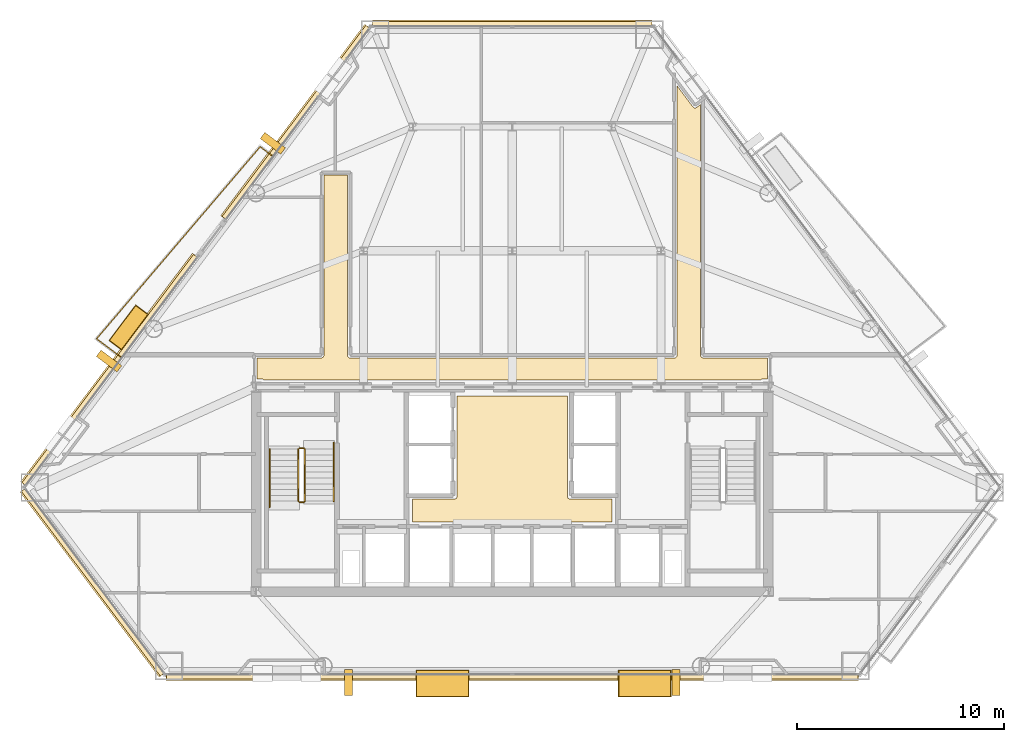
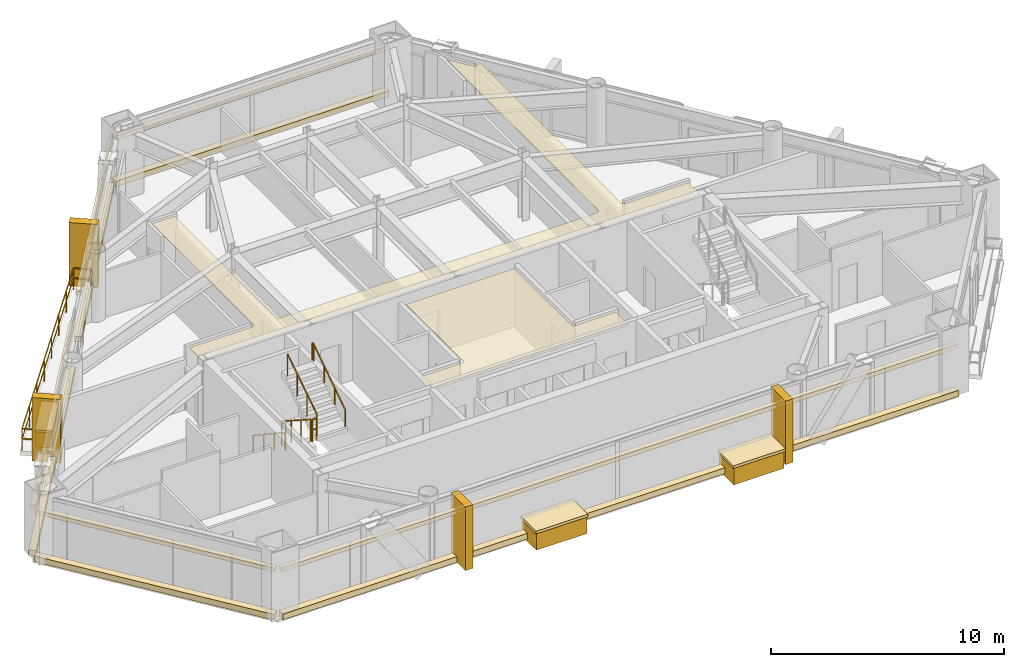
# One storey, part 9 of 10: 22 coverings, 7 railings.
"""IFC4 building model written with IfcOpenShell, lengths in metres."""

from ifc_helpers import new_model, si_unit, direction, frame, origin, origin_2d, place, context, subcontext, project, spatial, polyline, rectangle, outline, extrude, material, layer, layer_set, type_object, element, save


model = new_model("IFC4")

# Units and contexts
model_context = context("Model", 3, precision=1e-05, world=origin(), true_north=direction((0.0, 1.0)))
body_context = subcontext(model_context, "Body", "Model", "MODEL_VIEW")
ifc_project = project(units=[si_unit("LENGTHUNIT", "METRE"), si_unit("AREAUNIT", "SQUARE_METRE"), si_unit("VOLUMEUNIT", "CUBIC_METRE"), si_unit("PLANEANGLEUNIT", "RADIAN"), si_unit("MASSUNIT", "GRAM", prefix="KILO")], contexts=[model_context])

# Site, building, storey
site_placement = place(None, origin())
site = spatial("IfcSite", under=ifc_project, at=site_placement, CompositionType="ELEMENT")
building_placement = place(site_placement, origin())
building = spatial("IfcBuilding", under=site, at=building_placement, Name="Talgorran Terracotta Tower", CompositionType="ELEMENT")
storey_placement = place(building_placement, frame((0.0, 0.0, 86.39990234375)))
storey = spatial("IfcBuildingStorey", under=building, at=storey_placement, Name="L22", CompositionType="ELEMENT", Elevation=86.39990234375)

# Coverings
ifc_material_1 = material(Name="Kiln-Fired Terracotta Ochre Ceramic", Category="masonry")
ifc_layer_1 = layer(ifc_material_1, 0.179931640625, Name="COV_BAGUETTE_TERRACOTTA_SCREEN")
ifc_layer_set_1 = layer_set([ifc_layer_1], Name="Kiln-Fired Terracotta Ochre Ceramic")
covering_type_1 = type_object("IfcCoveringType", Name="COV_BAGUETTE_TERRACOTTA_SCREEN", PredefinedType="CLADDING", material=ifc_layer_set_1)
covering_1_placement = place(storey_placement, frame((-20.296630859375, -13.63720703125, 2.41015625), z_axis=(0.0, 0.0, 1.0), x_axis=(0.601048110939, -0.79921284295, 0.0)))
element("IfcCovering", 1, at=covering_1_placement, inside=storey, type_object=covering_type_1, Name="L22 Terracotta Baguette Solar Screen Assembly F0", PredefinedType="CLADDING", context=body_context, shape_type="SweptSolid", body=[
    extrude(rectangle(XDim=11.184326171875, YDim=0.260009765625, at=origin_2d()), origin(), (0.0, 0.0, 1.0), 0.219970703125),
])
covering_2_placement = place(storey_placement, frame((0.0, -18.2021484375, 2.41015625), z_axis=(0.0, 0.0, 1.0), x_axis=(1.0, 0.0, 0.0)))
element("IfcCovering", 2, at=covering_2_placement, inside=storey, type_object=covering_type_1, Name="L22 Terracotta Baguette Solar Screen Assembly F1", PredefinedType="CLADDING", context=body_context, shape_type="SweptSolid", body=[
    extrude(rectangle(XDim=33.487060546875, YDim=0.260009765625, at=origin_2d()), origin(), (0.0, 0.0, 1.0), 0.219970703125),
])
covering_3_placement = place(storey_placement, frame((0.0, 13.364990234375, 2.41015625), z_axis=(0.0, 0.0, 1.0), x_axis=(-1.0, 0.0, 0.0)))
element("IfcCovering", 3, at=covering_3_placement, inside=storey, type_object=covering_type_1, Name="L22 Terracotta Baguette Solar Screen Assembly F4", PredefinedType="CLADDING", context=body_context, shape_type="SweptSolid", body=[
    extrude(rectangle(XDim=13.533447265625, YDim=0.260009765625, at=origin_2d()), origin(), (0.0, 0.0, 1.0), 0.219970703125),
])
covering_4_placement = place(storey_placement, frame((-10.462158203125, 8.610595703125, 2.41015625), z_axis=(0.0, 0.0, 1.0), x_axis=(-0.601048110939, -0.79921284295, 0.0)))
element("IfcCovering", 4, at=covering_4_placement, inside=storey, type_object=covering_type_1, Name="L22 Terracotta Baguette Solar Screen Assembly F60", PredefinedType="CLADDING", context=body_context, shape_type="SweptSolid", body=[
    extrude(rectangle(XDim=11.577880859375, YDim=0.260009765625, at=origin_2d()), origin(), (0.0, 0.0, 1.0), 0.219970703125),
])
covering_5_placement = place(storey_placement, frame((-19.47900390625, -3.37890625, 2.41015625), z_axis=(0.0, 0.0, 1.0), x_axis=(-0.601048110939, -0.79921284295, 0.0)))
element("IfcCovering", 5, at=covering_5_placement, inside=storey, type_object=covering_type_1, Name="L22 Terracotta Baguette Solar Screen Assembly F61", PredefinedType="CLADDING", context=body_context, shape_type="SweptSolid", body=[
    extrude(rectangle(XDim=13.82568359375, YDim=0.260009765625, at=origin_2d()), origin(), (0.0, 0.0, 1.0), 0.219970703125),
])
ifc_material_2 = material(Name="Mineral Fibre Acoustic Tile")
ifc_layer_2 = layer(ifc_material_2, 0.02490234375, Name="COV_CEIL_ACOUSTIC")
ifc_layer_set_2 = layer_set([ifc_layer_2], Name="Mineral Fibre Acoustic Tile")
covering_type_2 = type_object("IfcCoveringType", Name="COV_CEIL_ACOUSTIC", PredefinedType="CEILING", material=ifc_layer_set_2)
covering_6_placement = place(storey_placement, frame((0.0, 0.0, 3.190185546875)))
element("IfcCovering", 6, at=covering_6_placement, inside=storey, type_object=covering_type_2, Name="CEIL-L22-2", PredefinedType="CEILING", context=body_context, shape_type="SweptSolid", body=[
    extrude(outline(polyline([(-12.034423828125, -3.844970703125), (-12.03515625, -3.843994140625), (-12.0439453125, -3.836181640625), (-12.05322265625, -3.8291015625), (-12.0634765625, -3.8232421875), (-12.07421875, -3.818115234375), (-12.085205078125, -3.814208984375), (-12.0966796875, -3.811279296875), (-12.108154296875, -3.8095703125), (-12.1201171875, -3.80908203125), (-12.364990234375, -3.80908203125), (-12.364990234375, -2.784912109375), (-9.25, -2.784912109375), (-9.23828125, -2.784423828125), (-9.226806640625, -2.78271484375), (-9.21533203125, -2.77978515625), (-9.20703125, -2.77734375), (-9.196044921875, -2.7734375), (-9.185302734375, -2.768310546875), (-9.17529296875, -2.762451171875), (-9.165771484375, -2.75537109375), (-9.156982421875, -2.74755859375), (-9.149169921875, -2.73876953125), (-9.1435546875, -2.73193359375), (-9.136474609375, -2.722412109375), (-9.13037109375, -2.71240234375), (-9.125244140625, -2.70166015625), (-9.121337890625, -2.690673828125), (-9.118408203125, -2.67919921875), (-9.11669921875, -2.66748046875), (-9.1162109375, -2.65576171875), (-9.114990234375, 6.06494140625), (-7.985107421875, 6.06494140625), (-7.985107421875, -2.64990234375), (-7.984375, -2.66162109375), (-7.982666015625, -2.67333984375), (-7.97998046875, -2.6845703125), (-7.977294921875, -2.69287109375), (-7.973388671875, -2.7041015625), (-7.968505859375, -2.714599609375), (-7.96240234375, -2.724853515625), (-7.955322265625, -2.734375), (-7.947509765625, -2.742919921875), (-7.938720703125, -2.7509765625), (-7.931884765625, -2.756591796875), (-7.922607421875, -2.763671875), (-7.912353515625, -2.769775390625), (-7.901611328125, -2.774658203125), (-7.890625, -2.77880859375), (-7.879150390625, -2.781494140625), (-7.867431640625, -2.783203125), (-7.855712890625, -2.783935546875), (7.85009765625, -2.784912109375), (7.86181640625, -2.784423828125), (7.873291015625, -2.78271484375), (7.884521484375, -2.77978515625), (7.892822265625, -2.77734375), (7.904052734375, -2.7734375), (7.914794921875, -2.768310546875), (7.9248046875, -2.762451171875), (7.934326171875, -2.75537109375), (7.943115234375, -2.74755859375), (7.950927734375, -2.73876953125), (7.95654296875, -2.73193359375), (7.963623046875, -2.722412109375), (7.9697265625, -2.71240234375), (7.974609375, -2.70166015625), (7.978759765625, -2.690673828125), (7.981689453125, -2.67919921875), (7.9833984375, -2.66748046875), (7.98388671875, -2.65576171875), (7.985107421875, 10.38232421875), (8.7451171875, 9.371826171875), (8.7529296875, 9.36279296875), (8.761474609375, 9.354248046875), (8.770751953125, 9.3466796875), (8.78076171875, 9.34033203125), (8.791259765625, 9.334716796875), (8.79931640625, 9.331298828125), (8.81005859375, 9.326904296875), (8.821044921875, 9.32373046875), (8.83251953125, 9.321533203125), (8.843994140625, 9.320556640625), (8.85546875, 9.320556640625), (8.866943359375, 9.32177734375), (8.87548828125, 9.322998046875), (8.88720703125, 9.325439453125), (8.8984375, 9.328857421875), (8.909423828125, 9.33349609375), (8.919921875, 9.339111328125), (8.9296875, 9.345703125), (9.114990234375, 9.485107421875), (9.114990234375, -2.64990234375), (9.115478515625, -2.66162109375), (9.1171875, -2.67333984375), (9.1201171875, -2.6845703125), (9.12255859375, -2.69287109375), (9.12646484375, -2.7041015625), (9.131591796875, -2.714599609375), (9.1376953125, -2.724853515625), (9.14453125, -2.734375), (9.152587890625, -2.742919921875), (9.1611328125, -2.7509765625), (9.16796875, -2.756591796875), (9.177490234375, -2.763671875), (9.1875, -2.769775390625), (9.1982421875, -2.774658203125), (9.20947265625, -2.77880859375), (9.220703125, -2.781494140625), (9.232421875, -2.783203125), (9.244384765625, -2.783935546875), (12.364990234375, -2.784912109375), (12.364990234375, -3.80908203125), (12.1201171875, -3.80908203125), (12.108154296875, -3.8095703125), (12.0966796875, -3.811279296875), (12.085205078125, -3.814208984375), (12.07421875, -3.818115234375), (12.0634765625, -3.8232421875), (12.05322265625, -3.8291015625), (12.0439453125, -3.836181640625), (12.03515625, -3.843994140625), (12.034423828125, -3.844970703125), (7.432861328125, -3.844970703125), (6.968017578125, -3.843017578125), (6.967529296875, -3.843017578125), (0.232666015625, -3.844970703125), (-0.23193359375, -3.843017578125), (-0.232421875, -3.843017578125), (-6.96728515625, -3.844970703125), (-7.431884765625, -3.843017578125), (-7.4326171875, -3.843017578125), (-12.034423828125, -3.844970703125)])), origin(), (0.0, 0.0, 1.0), 0.02001953125),
])
ifc_material_3 = material(Name="Flush Moisture-Resistant Plaster")
ifc_layer_3 = layer(ifc_material_3, 0.01806640625, Name="COV_CEIL_PLASTER")
ifc_layer_set_3 = layer_set([ifc_layer_3], Name="Flush Moisture-Resistant Plaster")
covering_type_3 = type_object("IfcCoveringType", Name="COV_CEIL_PLASTER", PredefinedType="CEILING", material=ifc_layer_set_3)
covering_7_placement = place(storey_placement, frame((0.0, 0.0, 3.190185546875)))
element("IfcCovering", 7, at=covering_7_placement, inside=storey, type_object=covering_type_3, Name="CEIL-L22-1", PredefinedType="CEILING", context=body_context, shape_type="SweptSolid", body=[
    extrude(outline(polyline([(-4.830078125, -9.6201171875), (-2.800048828125, -9.6201171875), (-2.7880859375, -9.619384765625), (-2.776611328125, -9.61767578125), (-2.76513671875, -9.61474609375), (-2.754150390625, -9.61083984375), (-2.743408203125, -9.605712890625), (-2.7333984375, -9.599853515625), (-2.723876953125, -9.5927734375), (-2.715087890625, -9.5849609375), (-2.707275390625, -9.576171875), (-2.7001953125, -9.566650390625), (-2.694091796875, -9.556640625), (-2.689208984375, -9.5458984375), (-2.685302734375, -9.534912109375), (-2.682373046875, -9.5234375), (-2.6806640625, -9.51171875), (-2.679931640625, -9.5), (-2.679931640625, -4.6201171875), (2.679931640625, -4.6201171875), (2.679931640625, -9.5), (2.6806640625, -9.51171875), (2.682373046875, -9.5234375), (2.685302734375, -9.534912109375), (2.689208984375, -9.5458984375), (2.694091796875, -9.556640625), (2.7001953125, -9.566650390625), (2.707275390625, -9.576171875), (2.715087890625, -9.5849609375), (2.723876953125, -9.5927734375), (2.7333984375, -9.599853515625), (2.743408203125, -9.605712890625), (2.754150390625, -9.61083984375), (2.76513671875, -9.61474609375), (2.776611328125, -9.61767578125), (2.7880859375, -9.619384765625), (2.800048828125, -9.6201171875), (4.830078125, -9.6201171875), (4.830078125, -10.72998046875), (-4.830078125, -10.72998046875), (-4.830078125, -9.6201171875)])), origin(), (0.0, 0.0, 1.0), 0.02001953125),
])
ifc_material_4 = material(Name="Honed Limestone and Terracotta Planter", Category="masonry")
ifc_layer_4 = layer(ifc_material_4, 0.1201171875, Name="COV_PLANTER_BOX")
ifc_layer_set_4 = layer_set([ifc_layer_4], Name="Honed Limestone and Terracotta Planter")
covering_type_4 = type_object("IfcCoveringType", Name="COV_PLANTER_BOX", PredefinedType="CLADDING", material=ifc_layer_set_4)
for number, where, z_axis, x_axis, name in (
    (8, (6.411865234375, -18.542236328125, -0.179931640625), (0.0, 0.0, 1.0), (1.0, 0.0, 0.0), "L22 Staggered South Facade Planter Box 1"),
    (9, (-3.374755859375, -18.542236328125, -0.179931640625), (0.0, 0.0, 1.0), (1.0, 0.0, 0.0), "L22 Staggered South Facade Planter Box 2"),
):
    element("IfcCovering", number, at=place(storey_placement, frame(where, z_axis=z_axis, x_axis=x_axis)), inside=storey, type_object=covering_type_4, Name=name, PredefinedType="CLADDING", context=body_context, shape_type="SweptSolid", body=[
        extrude(rectangle(XDim=2.5, YDim=1.25, at=origin_2d()), origin(), (0.0, 0.0, 1.0), 0.919921875),
    ])
covering_8_placement = place(storey_placement, frame((-18.57275390625, -1.310546875, -0.02001953125), z_axis=(0.0, 0.0, 1.0), x_axis=(-0.601048110939, -0.79921284295, 0.0)))
element("IfcCovering", 10, at=covering_8_placement, inside=storey, type_object=covering_type_4, Name="L22 Staggered Balcony Planter Box BAL-NW", PredefinedType="CLADDING", context=body_context, shape_type="SweptSolid", body=[
    extrude(rectangle(XDim=2.10009765625, YDim=0.719970703125, at=origin_2d()), origin(), (0.0, 0.0, 1.0), 0.860107421875),
])
ifc_material_5 = material(Name="Kiln-Fired Terracotta Planter Rim", Category="masonry")
ifc_layer_5 = layer(ifc_material_5, 0.10009765625, Name="COV_PLANTER_RIM")
ifc_layer_set_5 = layer_set([ifc_layer_5], Name="Kiln-Fired Terracotta Planter Rim")
covering_type_5 = type_object("IfcCoveringType", Name="COV_PLANTER_RIM", PredefinedType="CLADDING", material=ifc_layer_set_5)
for number, where, z_axis, x_axis, name in (
    (11, (6.411865234375, -18.542236328125, 0.7099609375), (0.0, 0.0, 1.0), (1.0, 0.0, 0.0), "L22 South Planter Terracotta Rim 1"),
    (12, (-3.374755859375, -18.542236328125, 0.7099609375), (0.0, 0.0, 1.0), (1.0, 0.0, 0.0), "L22 South Planter Terracotta Rim 2"),
):
    element("IfcCovering", number, at=place(storey_placement, frame(where, z_axis=z_axis, x_axis=x_axis)), inside=storey, type_object=covering_type_5, Name=name, PredefinedType="CLADDING", context=body_context, shape_type="SweptSolid", body=[
        extrude(rectangle(XDim=2.580078125, YDim=1.320068359375, at=origin_2d()), origin(), (0.0, 0.0, 1.0), 0.139892578125),
    ])
covering_9_placement = place(storey_placement, frame((-18.57275390625, -1.310546875, 0.800048828125), z_axis=(0.0, 0.0, 1.0), x_axis=(-0.601048110939, -0.79921284295, 0.0)))
element("IfcCovering", 13, at=covering_9_placement, inside=storey, type_object=covering_type_5, Name="L22 Balcony Planter Terracotta Rim BAL-NW", PredefinedType="CLADDING", context=body_context, shape_type="SweptSolid", body=[
    extrude(rectangle(XDim=2.179931640625, YDim=0.780029296875, at=origin_2d()), origin(), (0.0, 0.0, 1.0), 0.1201171875),
])
ifc_material_6 = material(Name="Honed Limestone Cladding", Category="masonry")
ifc_layer_6 = layer(ifc_material_6, 0.094970703125, Name="COV_PORTAL_LIME")
ifc_layer_set_6 = layer_set([ifc_layer_6], Name="Honed Limestone Cladding")
covering_type_6 = type_object("IfcCoveringType", Name="COV_PORTAL_LIME", PredefinedType="CLADDING", material=ifc_layer_set_6)
covering_10_placement = place(storey_placement, frame((-20.32861328125, -13.6611328125, -0.0400390625), z_axis=(0.0, 0.0, 1.0), x_axis=(0.601048110939, -0.79921284295, 0.0)))
element("IfcCovering", 14, at=covering_10_placement, inside=storey, type_object=covering_type_6, Name="L22 Striped Postmodern Portal Cladding Band F0", PredefinedType="CLADDING", context=body_context, shape_type="SweptSolid", body=[
    extrude(rectangle(XDim=11.204345703125, YDim=0.340087890625, at=origin_2d()), origin(), (0.0, 0.0, 1.0), 0.300048828125),
])
covering_11_placement = place(storey_placement, frame((0.0, -18.2421875, -0.0400390625), z_axis=(0.0, 0.0, 1.0), x_axis=(1.0, 0.0, 0.0)))
element("IfcCovering", 15, at=covering_11_placement, inside=storey, type_object=covering_type_6, Name="L22 Striped Postmodern Portal Cladding Band F1", PredefinedType="CLADDING", context=body_context, shape_type="SweptSolid", body=[
    extrude(rectangle(XDim=33.507080078125, YDim=0.340087890625, at=origin_2d()), origin(), (0.0, 0.0, 1.0), 0.300048828125),
])
covering_12_placement = place(storey_placement, frame((0.0, 13.405029296875, -0.0400390625), z_axis=(0.0, 0.0, 1.0), x_axis=(-1.0, 0.0, 0.0)))
element("IfcCovering", 16, at=covering_12_placement, inside=storey, type_object=covering_type_6, Name="L22 Striped Postmodern Portal Cladding Band F4", PredefinedType="CLADDING", context=body_context, shape_type="SweptSolid", body=[
    extrude(rectangle(XDim=13.553466796875, YDim=0.340087890625, at=origin_2d()), origin(), (0.0, 0.0, 1.0), 0.300048828125),
])
covering_13_placement = place(storey_placement, frame((-10.494140625, 8.634765625, -0.0400390625), z_axis=(0.0, 0.0, 1.0), x_axis=(-0.601048110939, -0.79921284295, 0.0)))
element("IfcCovering", 17, at=covering_13_placement, inside=storey, type_object=covering_type_6, Name="L22 Striped Postmodern Portal Cladding Band F60", PredefinedType="CLADDING", context=body_context, shape_type="SweptSolid", body=[
    extrude(rectangle(XDim=11.597900390625, YDim=0.340087890625, at=origin_2d()), origin(), (0.0, 0.0, 1.0), 0.300048828125),
])
covering_14_placement = place(storey_placement, frame((-19.510986328125, -3.354736328125, -0.0400390625), z_axis=(0.0, 0.0, 1.0), x_axis=(-0.601048110939, -0.79921284295, 0.0)))
element("IfcCovering", 18, at=covering_14_placement, inside=storey, type_object=covering_type_6, Name="L22 Striped Postmodern Portal Cladding Band F61", PredefinedType="CLADDING", context=body_context, shape_type="SweptSolid", body=[
    extrude(rectangle(XDim=13.845703125, YDim=0.340087890625, at=origin_2d()), origin(), (0.0, 0.0, 1.0), 0.300048828125),
])
for number, where, z_axis, x_axis, name in (
    (19, (7.930419921875, -18.502197265625, -0.050048828125), (0.0, 0.0, 1.0), (1.0, 0.0, 0.0), "L22 White Striped Portal Fin F1-2"),
    (20, (-19.5224609375, -2.937744140625, -0.050048828125), (0.0, 0.0, 1.0), (-0.601048110939, -0.79921284295, 0.0), "L22 White Striped Portal Fin F5-2"),
):
    element("IfcCovering", number, at=place(storey_placement, frame(where, z_axis=z_axis, x_axis=x_axis)), inside=storey, type_object=covering_type_6, Name=name, PredefinedType="CLADDING", context=body_context, shape_type="SweptSolid", body=[
        extrude(rectangle(XDim=0.3798828125, YDim=1.25, at=origin_2d()), origin(), (0.0, 0.0, 1.0), 3.330078125),
    ])
ifc_material_7 = material(Name="Kiln-Fired Terracotta Cladding", Category="masonry")
ifc_layer_7 = layer(ifc_material_7, 0.090087890625, Name="COV_PORTAL_TERRA")
ifc_layer_set_7 = layer_set([ifc_layer_7], Name="Kiln-Fired Terracotta Cladding")
covering_type_7 = type_object("IfcCoveringType", Name="COV_PORTAL_TERRA", PredefinedType="CLADDING", material=ifc_layer_set_7)
for number, where, z_axis, x_axis, name in (
    (21, (-7.930419921875, -18.502197265625, -0.050048828125), (0.0, 0.0, 1.0), (1.0, 0.0, 0.0), "L22 Terracotta Striped Portal Fin F1-1"),
    (22, (-11.591796875, 7.607666015625, -0.050048828125), (0.0, 0.0, 1.0), (-0.601048110939, -0.79921284295, 0.0), "L22 Terracotta Striped Portal Fin F5-1"),
):
    element("IfcCovering", number, at=place(storey_placement, frame(where, z_axis=z_axis, x_axis=x_axis)), inside=storey, type_object=covering_type_7, Name=name, PredefinedType="CLADDING", context=body_context, shape_type="SweptSolid", body=[
        extrude(rectangle(XDim=0.3798828125, YDim=1.25, at=origin_2d()), origin(), (0.0, 0.0, 1.0), 3.330078125),
    ])

# Railings
ifc_material_8 = material(Name="Laminated Glass and Stainless Steel 316", Category="steel")
railing_type_1 = type_object("IfcRailingType", Name="RL_BALCONY_1150", PredefinedType="BALUSTRADE", material=ifc_material_8)
railing_1_placement = place(storey_placement, frame((-11.58935546875, 6.978759765625, 0.0)))
element("IfcRailing", 23, at=railing_1_placement, inside=storey, type_object=railing_type_1, Name="RL-L22-BAL-BAL-NW", PredefinedType="BALUSTRADE", context=body_context, shape_type="SweptSolid", body=[
    extrude(rectangle(XDim=0.048095703125, YDim=0.048095703125, at=origin_2d()), frame((0.0, 0.0, 1.1259765625), z_axis=(-0.799084379196, 0.601218891025, 0.0), x_axis=(-0.601218891025, -0.799084379196, 0.0)), (0.0, 0.0, 1.0), 0.768798828125),
    extrude(rectangle(XDim=0.048095703125, YDim=0.048095703125, at=origin_2d()), frame((0.0, 0.0, 0.597900390625), z_axis=(-0.799084379196, 0.601218891025, 0.0), x_axis=(-0.601218891025, -0.799084379196, 0.0)), (0.0, 0.0, 1.0), 0.768798828125),
    extrude(rectangle(XDim=0.048095703125, YDim=0.048095703125, at=origin_2d()), frame((-0.6142578125, 0.462158203125, 1.1259765625), z_axis=(-0.648396530327, -0.761302790918, 0.0), x_axis=(0.761302790918, -0.648396530327, 0.0)), (0.0, 0.0, 1.0), 12.215087890625),
    extrude(rectangle(XDim=0.048095703125, YDim=0.048095703125, at=origin_2d()), frame((-0.6142578125, 0.462158203125, 0.597900390625), z_axis=(-0.648396530327, -0.761302790918, 0.0), x_axis=(0.761302790918, -0.648396530327, 0.0)), (0.0, 0.0, 1.0), 12.215087890625),
    extrude(rectangle(XDim=0.048095703125, YDim=0.048095703125, at=origin_2d()), frame((-8.534423828125, -8.837158203125, 1.1259765625), z_axis=(0.79920348957, -0.601060547914, 0.0), x_axis=(0.601060547914, 0.79920348957, 0.0)), (0.0, 0.0, 1.0), 1.50927734375),
    extrude(rectangle(XDim=0.048095703125, YDim=0.048095703125, at=origin_2d()), frame((-8.534423828125, -8.837158203125, 0.597900390625), z_axis=(0.79920348957, -0.601060547914, 0.0), x_axis=(0.601060547914, 0.79920348957, 0.0)), (0.0, 0.0, 1.0), 1.50927734375),
    extrude(rectangle(XDim=0.0419921875, YDim=0.0419921875, at=origin_2d()), origin(), (0.0, 0.0, 1.0), 1.101806640625),
    extrude(rectangle(XDim=0.0419921875, YDim=0.0419921875, at=origin_2d()), frame((-0.6142578125, 0.462158203125, 0.0)), (0.0, 0.0, 1.0), 1.101806640625),
    extrude(rectangle(XDim=0.0419921875, YDim=0.0419921875, at=origin_2d()), frame((-1.74560546875, -0.8662109375, 0.0)), (0.0, 0.0, 1.0), 1.101806640625),
    extrude(rectangle(XDim=0.0419921875, YDim=0.0419921875, at=origin_2d()), frame((-2.877197265625, -2.19482421875, 0.0)), (0.0, 0.0, 1.0), 1.101806640625),
    extrude(rectangle(XDim=0.0419921875, YDim=0.0419921875, at=origin_2d()), frame((-4.008544921875, -3.523193359375, 0.0)), (0.0, 0.0, 1.0), 1.101806640625),
    extrude(rectangle(XDim=0.0419921875, YDim=0.0419921875, at=origin_2d()), frame((-5.14013671875, -4.851806640625, 0.0)), (0.0, 0.0, 1.0), 1.101806640625),
    extrude(rectangle(XDim=0.0419921875, YDim=0.0419921875, at=origin_2d()), frame((-6.271484375, -6.18017578125, 0.0)), (0.0, 0.0, 1.0), 1.101806640625),
    extrude(rectangle(XDim=0.0419921875, YDim=0.0419921875, at=origin_2d()), frame((-7.403076171875, -7.5087890625, 0.0)), (0.0, 0.0, 1.0), 1.101806640625),
    extrude(rectangle(XDim=0.0419921875, YDim=0.0419921875, at=origin_2d()), frame((-8.534423828125, -8.837158203125, 0.0)), (0.0, 0.0, 1.0), 1.101806640625),
    extrude(rectangle(XDim=0.0419921875, YDim=0.0419921875, at=origin_2d()), frame((-7.328125, -9.744384765625, 0.0)), (0.0, 0.0, 1.0), 1.101806640625),
])
ifc_material_9 = material(Name="Steel S355 (300PLUS)", Category="steel")
railing_type_2 = type_object("IfcRailingType", Name="RL_HANDRAIL_920", PredefinedType="HANDRAIL", material=ifc_material_9)
railing_2_placement = place(storey_placement, frame((-11.75, -7.199951171875, 0.18017578125)))
element("IfcRailing", 24, at=railing_2_placement, inside=storey, type_object=railing_type_2, Name="L22 ST-01 stair handrail 1", PredefinedType="HANDRAIL", context=body_context, shape_type="SweptSolid", body=[
    extrude(rectangle(XDim=0.048095703125, YDim=0.048095703125, at=origin_2d()), frame((0.0, 0.0, 0.89599609375), z_axis=(0.0, -0.832073444223, 0.554665469827), x_axis=(1.0, 0.0, 0.0)), (0.0, 0.0, 1.0), 3.244873046875),
    extrude(rectangle(XDim=0.048095703125, YDim=0.048095703125, at=origin_2d()), frame((0.0, -2.699951171875, 2.69580078125), z_axis=(0.0, -1.0, 0.0), x_axis=(1.0, 0.0, 0.0)), (0.0, 0.0, 1.0), 0.1201171875),
    extrude(rectangle(XDim=0.0419921875, YDim=0.0419921875, at=origin_2d()), origin(), (0.0, 0.0, 1.0), 0.871826171875),
    extrude(rectangle(XDim=0.0419921875, YDim=0.0419921875, at=origin_2d()), frame((0.0, -0.89990234375, 0.599853515625)), (0.0, 0.0, 1.0), 0.871826171875),
    extrude(rectangle(XDim=0.0419921875, YDim=0.0419921875, at=origin_2d()), frame((0.0, -1.800048828125, 1.199951171875)), (0.0, 0.0, 1.0), 0.871826171875),
    extrude(rectangle(XDim=0.0419921875, YDim=0.0419921875, at=origin_2d()), frame((0.0, -2.699951171875, 1.7998046875)), (0.0, 0.0, 1.0), 0.871826171875),
    extrude(rectangle(XDim=0.0419921875, YDim=0.0419921875, at=origin_2d()), frame((0.0, -2.820068359375, 1.7998046875)), (0.0, 0.0, 1.0), 0.871826171875),
])
railing_3_placement = place(storey_placement, frame((-8.64990234375, -9.719970703125, 1.97998046875)))
element("IfcRailing", 25, at=railing_3_placement, inside=storey, type_object=railing_type_2, Name="L22 ST-01 stair handrail 2", PredefinedType="HANDRAIL", context=body_context, shape_type="SweptSolid", body=[
    extrude(rectangle(XDim=0.048095703125, YDim=0.048095703125, at=origin_2d()), frame((0.0, 0.0, 0.89599609375), z_axis=(0.0, 0.832038719335, 0.554717558338), x_axis=(-1.0, 0.0, 0.0)), (0.0, 0.0, 1.0), 3.244873046875),
    extrude(rectangle(XDim=0.048095703125, YDim=0.048095703125, at=origin_2d()), frame((0.0, 2.699951171875, 2.69580078125), z_axis=(0.0, 1.0, 0.0), x_axis=(-1.0, 0.0, 0.0)), (0.0, 0.0, 1.0), 0.1201171875),
    extrude(rectangle(XDim=0.0419921875, YDim=0.0419921875, at=origin_2d()), origin(), (0.0, 0.0, 1.0), 0.871826171875),
    extrude(rectangle(XDim=0.0419921875, YDim=0.0419921875, at=origin_2d()), frame((0.0, 0.89990234375, 0.60009765625)), (0.0, 0.0, 1.0), 0.871826171875),
    extrude(rectangle(XDim=0.0419921875, YDim=0.0419921875, at=origin_2d()), frame((0.0, 1.800048828125, 1.199951171875)), (0.0, 0.0, 1.0), 0.871826171875),
    extrude(rectangle(XDim=0.0419921875, YDim=0.0419921875, at=origin_2d()), frame((0.0, 2.699951171875, 1.800048828125)), (0.0, 0.0, 1.0), 0.871826171875),
    extrude(rectangle(XDim=0.0419921875, YDim=0.0419921875, at=origin_2d()), frame((0.0, 2.820068359375, 1.800048828125)), (0.0, 0.0, 1.0), 0.871826171875),
])
railing_type_3 = type_object("IfcRailingType", Name="RL_STAIR_GUARD", PredefinedType="GUARDRAIL", material=ifc_material_9)
railing_4_placement = place(storey_placement, frame((-10.35009765625, -7.199951171875, 0.18017578125)))
element("IfcRailing", 26, at=railing_4_placement, inside=storey, type_object=railing_type_3, Name="L22 ST-01 stair guard 1", PredefinedType="GUARDRAIL", context=body_context, shape_type="SweptSolid", body=[
    extrude(rectangle(XDim=0.048095703125, YDim=0.048095703125, at=origin_2d()), frame((0.0, 0.0, 1.15576171875), z_axis=(0.0, -0.841199657755, 0.540724639528), x_axis=(1.0, 0.0, 0.0)), (0.0, 0.0, 1.0), 2.995849609375),
    extrude(rectangle(XDim=0.0419921875, YDim=0.0419921875, at=origin_2d()), origin(), (0.0, 0.0, 1.0), 1.1318359375),
    extrude(rectangle(XDim=0.0419921875, YDim=0.0419921875, at=origin_2d()), frame((0.0, -0.840087890625, 0.5400390625)), (0.0, 0.0, 1.0), 1.1318359375),
    extrude(rectangle(XDim=0.0419921875, YDim=0.0419921875, at=origin_2d()), frame((0.0, -1.679931640625, 1.079833984375)), (0.0, 0.0, 1.0), 1.1318359375),
    extrude(rectangle(XDim=0.0419921875, YDim=0.0419921875, at=origin_2d()), frame((0.0, -2.52001953125, 1.619873046875)), (0.0, 0.0, 1.0), 1.1318359375),
])
railing_5_placement = place(storey_placement, frame((-10.300048828125, -9.77001953125, 1.800048828125)))
element("IfcRailing", 27, at=railing_5_placement, inside=storey, type_object=railing_type_3, Name="L22 ST-01 stair guard 2", PredefinedType="GUARDRAIL", context=body_context, shape_type="SweptSolid", body=[
    extrude(rectangle(XDim=0.048095703125, YDim=0.048095703125, at=origin_2d()), frame((0.0, 0.0, 1.15576171875), z_axis=(1.0, 0.0, 0.0), x_axis=(0.0, 1.0, 0.0)), (0.0, 0.0, 1.0), 0.199951171875),
    extrude(rectangle(XDim=0.048095703125, YDim=0.048095703125, at=origin_2d()), frame((0.0, 0.0, 0.613525390625), z_axis=(1.0, 0.0, 0.0), x_axis=(0.0, 1.0, 0.0)), (0.0, 0.0, 1.0), 0.199951171875),
    extrude(rectangle(XDim=0.0419921875, YDim=0.0419921875, at=origin_2d()), origin(), (0.0, 0.0, 1.0), 1.1318359375),
    extrude(rectangle(XDim=0.0419921875, YDim=0.0419921875, at=origin_2d()), frame((0.199951171875, 0.0, 0.0)), (0.0, 0.0, 1.0), 1.1318359375),
])
railing_6_placement = place(storey_placement, frame((-10.050048828125, -9.719970703125, 1.97998046875)))
element("IfcRailing", 28, at=railing_6_placement, inside=storey, type_object=railing_type_3, Name="L22 ST-01 stair guard 3", PredefinedType="GUARDRAIL", context=body_context, shape_type="SweptSolid", body=[
    extrude(rectangle(XDim=0.048095703125, YDim=0.048095703125, at=origin_2d()), frame((0.0, 0.0, 1.15576171875), z_axis=(0.0, 0.841162588446, 0.540782303519), x_axis=(-1.0, 0.0, 0.0)), (0.0, 0.0, 1.0), 2.995849609375),
    extrude(rectangle(XDim=0.0419921875, YDim=0.0419921875, at=origin_2d()), origin(), (0.0, 0.0, 1.0), 1.1318359375),
    extrude(rectangle(XDim=0.0419921875, YDim=0.0419921875, at=origin_2d()), frame((0.0, 0.840087890625, 0.5400390625)), (0.0, 0.0, 1.0), 1.1318359375),
    extrude(rectangle(XDim=0.0419921875, YDim=0.0419921875, at=origin_2d()), frame((0.0, 1.679931640625, 1.080078125)), (0.0, 0.0, 1.0), 1.1318359375),
    extrude(rectangle(XDim=0.0419921875, YDim=0.0419921875, at=origin_2d()), frame((0.0, 2.52001953125, 1.6201171875)), (0.0, 0.0, 1.0), 1.1318359375),
])
railing_7_placement = place(storey_placement, frame((-10.300048828125, -7.14990234375, 0.0)))
element("IfcRailing", 29, at=railing_7_placement, inside=storey, type_object=railing_type_3, Name="L22 ST-01 stair guard 4", PredefinedType="GUARDRAIL", context=body_context, shape_type="SweptSolid", body=[
    extrude(rectangle(XDim=0.048095703125, YDim=0.048095703125, at=origin_2d()), frame((0.0, 0.0, 1.15576171875), z_axis=(1.0, 0.0, 0.0), x_axis=(0.0, 1.0, 0.0)), (0.0, 0.0, 1.0), 0.199951171875),
    extrude(rectangle(XDim=0.048095703125, YDim=0.048095703125, at=origin_2d()), frame((0.0, 0.0, 0.613525390625), z_axis=(1.0, 0.0, 0.0), x_axis=(0.0, 1.0, 0.0)), (0.0, 0.0, 1.0), 0.199951171875),
    extrude(rectangle(XDim=0.0419921875, YDim=0.0419921875, at=origin_2d()), origin(), (0.0, 0.0, 1.0), 1.1318359375),
    extrude(rectangle(XDim=0.0419921875, YDim=0.0419921875, at=origin_2d()), frame((0.199951171875, 0.0, 0.0)), (0.0, 0.0, 1.0), 1.1318359375),
])

save(model, "model.ifc")
